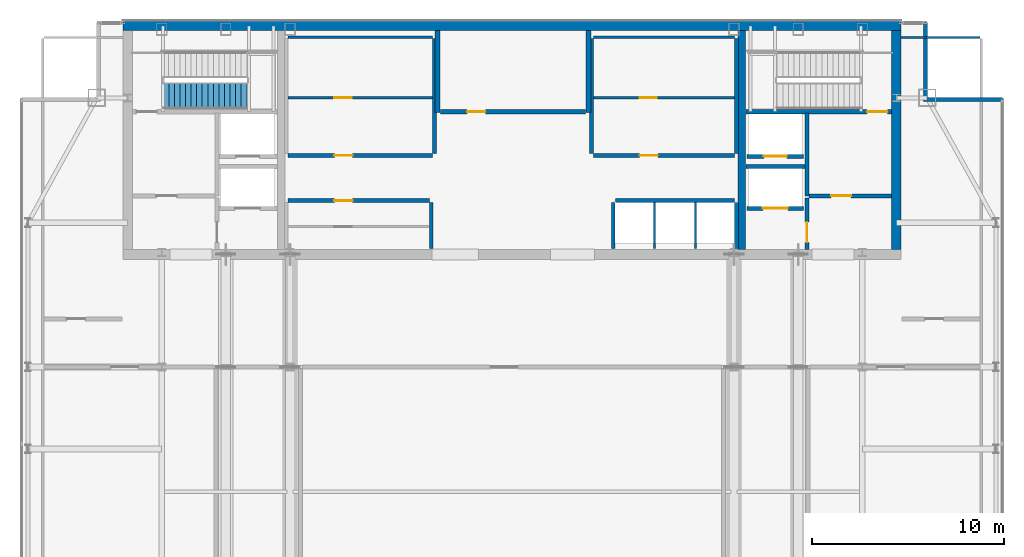
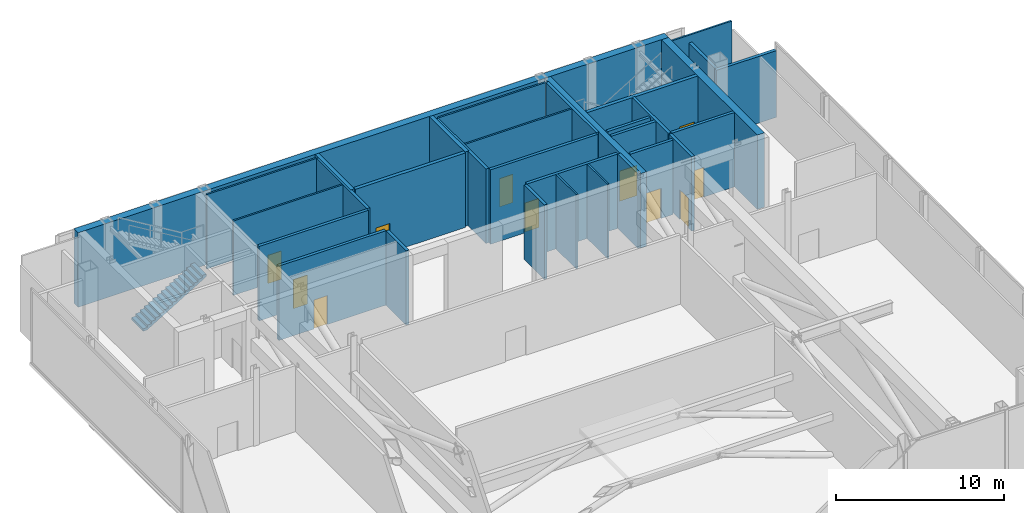
# One storey, part 24 of 26: 32 walls, 11 doors, 1 stair flight, 11 openings, 1 element without a shape of its own.
"""IFC4 building model written with IfcOpenShell, lengths in metres."""

from ifc_helpers import new_model, si_unit, direction, frame, frame_2d, origin, place, context, subcontext, project, spatial, polyline, rectangle, outline, extrude, material, layer, layer_set, type_object, element, fill, aggregate, save


model = new_model("IFC4")

# Units and contexts
model_context = context("Model", 3, precision=1e-05, world=origin(), true_north=direction((0.0, 1.0)))
body_context = subcontext(model_context, "Body", "Model", "MODEL_VIEW")
ifc_project = project(units=[si_unit("LENGTHUNIT", "METRE"), si_unit("AREAUNIT", "SQUARE_METRE"), si_unit("VOLUMEUNIT", "CUBIC_METRE"), si_unit("PLANEANGLEUNIT", "RADIAN"), si_unit("MASSUNIT", "GRAM", prefix="KILO")], contexts=[model_context])

# Site, building, storey
site_placement = place(None, origin())
site = spatial("IfcSite", under=ifc_project, at=site_placement, CompositionType="ELEMENT")
building_placement = place(site_placement, origin())
building = spatial("IfcBuilding", under=site, at=building_placement, Name="Khoronbel Lancet Exchange", CompositionType="ELEMENT")
storey_placement = place(building_placement, frame((0.0, 0.0, 350.60009765625)))
storey = spatial("IfcBuildingStorey", under=building, at=storey_placement, Name="L91", CompositionType="ELEMENT", Elevation=350.60009765625)

# Walls
ifc_material_1 = material(Name="Concrete C60/75", Category="concrete")
ifc_layer_1 = layer(ifc_material_1, 0.5, Name="Concrete C60/75")
ifc_layer_set_1 = layer_set([ifc_layer_1], Name="Concrete C60/75")
wall_type_1 = type_object("IfcWallType", Name="WL-CW4", PredefinedType="SHEAR", material=ifc_layer_set_1)
wall_1_placement = place(storey_placement, frame((16.199951171875, 53.449951171875, 0.0), z_axis=(0.0, 0.0, 1.0), x_axis=(1.0, 0.0, 0.0)))
element("IfcWall", 1, at=wall_1_placement, inside=storey, type_object=wall_type_1, Name="Level L91 rear core north shear wall", PredefinedType="SHEAR", context=body_context, shape_type="SweptSolid", body=[
    extrude(rectangle(XDim=40.5, YDim=0.5, at=frame_2d((20.25, 0.0))), origin(), (0.0, 0.0, 1.0), 5.39990234375),
])
wall_2_placement = place(storey_placement, frame((56.449951171875, 53.199951171875, 0.0), z_axis=(0.0, 0.0, 1.0), x_axis=(0.0, -1.0, 0.0)))
element("IfcWall", 2, at=wall_2_placement, inside=storey, type_object=wall_type_1, Name="Level L91 rear core east shear wall", PredefinedType="SHEAR", context=body_context, shape_type="SweptSolid", body=[
    extrude(rectangle(XDim=11.39990234375, YDim=0.5, at=frame_2d((5.699951171875, 0.0))), origin(), (0.0, 0.0, 1.0), 5.39990234375),
])
ifc_material_2 = material(Name="Precast concrete C40/50", Category="concrete")
ifc_layer_2 = layer(ifc_material_2, 0.25, Name="Precast concrete C40/50")
ifc_layer_set_2 = layer_set([ifc_layer_2], Name="Precast concrete C40/50")
wall_type_2 = type_object("IfcWallType", Name="WL-EXT250", PredefinedType="SOLIDWALL", material=ifc_layer_set_2)
wall_3_placement = place(storey_placement, frame((57.9599609375, 53.6298828125, 0.0), z_axis=(0.0, 0.0, 1.0), x_axis=(0.0, -1.0, 0.0)))
element("IfcWall", 3, at=wall_3_placement, inside=storey, type_object=wall_type_2, Name="Level L91 notched-corner limestone pier 07", PredefinedType="SOLIDWALL", context=body_context, shape_type="SweptSolid", body=[
    extrude(rectangle(XDim=3.909912109375, YDim=0.219970703125, at=frame_2d((1.955078125, 0.0))), origin(), (0.0, 0.0, 1.0), 4.83984375),
])
wall_4_placement = place(storey_placement, frame((57.85009765625, 49.610107421875, 0.0), z_axis=(0.0, 0.0, 1.0), x_axis=(1.0, 0.0, 0.0)))
element("IfcWall", 4, at=wall_4_placement, inside=storey, type_object=wall_type_2, Name="Level L91 notched-corner limestone pier 08", PredefinedType="SOLIDWALL", context=body_context, shape_type="SweptSolid", body=[
    extrude(rectangle(XDim=4.1298828125, YDim=0.219970703125, at=frame_2d((2.06494140625, 0.0))), origin(), (0.0, 0.0, 1.0), 4.83984375),
])
ifc_material_3 = material(Name="Acoustic Metal-Stud & Mineral-Wool Gypsum Partition 120 mm", Category="gypsum")
ifc_layer_3 = layer(ifc_material_3, 0.1201171875, Name="Acoustic Metal-Stud & Mineral-Wool Gypsum Partition 120 mm")
ifc_layer_set_3 = layer_set([ifc_layer_3], Name="Acoustic Metal-Stud & Mineral-Wool Gypsum Partition 120 mm")
wall_type_3 = type_object("IfcWallType", Name="WL-PRT120", PredefinedType="PARTITIONING", material=ifc_layer_set_3)
wall_5_placement = place(storey_placement, frame((56.699951171875, 52.840087890625, 0.0), z_axis=(0.0, 0.0, 1.0), x_axis=(1.0, 0.0, 0.0)))
element("IfcWall", 5, at=wall_5_placement, inside=storey, type_object=wall_type_3, Name="Level L91 interior partition PW-LIN-NE", PredefinedType="PARTITIONING", context=body_context, shape_type="SweptSolid", body=[
    extrude(rectangle(XDim=4.10498046875, YDim=0.1201171875, at=frame_2d((2.052490234375, 0.0))), origin(), (0.0, 0.0, 1.0), 5.39990234375),
])
ifc_material_4 = material(Name="Fire-Rated Metal-Stud & Mineral-Wool Gypsum Partition 120 mm", Category="gypsum")
ifc_layer_4 = layer(ifc_material_4, 0.1201171875, Name="Fire-Rated Metal-Stud & Mineral-Wool Gypsum Partition 120 mm")
ifc_layer_set_4 = layer_set([ifc_layer_4], Name="Fire-Rated Metal-Stud & Mineral-Wool Gypsum Partition 120 mm")
wall_type_4 = type_object("IfcWallType", Name="WL-PRT120F", PredefinedType="PARTITIONING", material=ifc_layer_set_4)
wall_6_placement = place(storey_placement, frame((24.804931640625, 52.860107421875, 0.0), z_axis=(0.0, 0.0, 1.0), x_axis=(1.0, 0.0, 0.0)))
element("IfcWall", 6, at=wall_6_placement, inside=storey, type_object=wall_type_4, Name="Level L91 interior partition CW-PL-RN", PredefinedType="PARTITIONING", context=body_context, shape_type="SweptSolid", body=[
    extrude(rectangle(XDim=7.510009765625, YDim=0.1201171875, at=frame_2d((3.7548828125, 0.0))), origin(), (0.0, 0.0, 1.0), 5.39990234375),
])

# Wall, opening, door
wall_7_placement = place(storey_placement, frame((24.804931640625, 49.708740234375, 0.0), z_axis=(0.0, 0.0, 1.0), x_axis=(1.0, 0.0, 0.0)))
wall_7 = element("IfcWall", 7, at=wall_7_placement, inside=storey, type_object=wall_type_4, Name="Level L91 interior partition CW-PL-RH", PredefinedType="PARTITIONING", context=body_context, shape_type="SweptSolid", body=[
    extrude(rectangle(XDim=7.510009765625, YDim=0.1201171875, at=frame_2d((3.7548828125, 0.0))), origin(), (0.0, 0.0, 1.0), 5.39990234375),
])
opening_1_placement = place(wall_7_placement, frame((2.39990234375, 0.0, 0.0)))
opening_1 = element("IfcOpeningElement", 8, at=opening_1_placement, cuts=wall_7, Name="Opening FD4", PredefinedType="OPENING", context=body_context, shape_type="SweptSolid", body=[
    extrude(rectangle(XDim=0.89990234375, YDim=2.050048828125, at=frame_2d((0.449951171875, 1.02490234375))), frame((0.0, 0.070068359375, 0.0), z_axis=(0.0, -1.0, 0.0), x_axis=(1.0, 0.0, 0.0)), (0.0, 0.0, 1.0), 0.14013671875),
])
ifc_material_5 = material(Name="Fire-Rated Steel Core Support Door Assembly", Category="steel")
door_type_1 = type_object("IfcDoorType", Name="DR-FD4", OperationType="NOTDEFINED", PredefinedType="DOOR", material=ifc_material_5)
door_1_placement = place(opening_1_placement, origin())
door_1 = element("IfcDoor", 9, at=door_1_placement, inside=storey, type_object=door_type_1, Name="Core PL inner store door L91-1", OperationType="SINGLE_SWING_LEFT", OverallHeight=2.050048828125, OverallWidth=0.89990234375, PredefinedType="DOOR", context=body_context, shape_type="SweptSolid", body=[
    extrude(rectangle(XDim=0.89990234375, YDim=2.050048828125, at=frame_2d((0.449951171875, 1.02490234375))), frame((0.0, 0.02490234375, 0.0), z_axis=(0.0, -1.0, 0.0), x_axis=(1.0, 0.0, 0.0)), (0.0, 0.0, 1.0), 0.050048828125),
])
fill(opening_1, door_1)

# Wall
wall_8_placement = place(storey_placement, frame((40.68505859375, 52.860107421875, 0.0), z_axis=(0.0, 0.0, 1.0), x_axis=(1.0, 0.0, 0.0)))
element("IfcWall", 10, at=wall_8_placement, inside=storey, type_object=wall_type_4, Name="Level L91 interior partition CW-PH-RN", PredefinedType="PARTITIONING", context=body_context, shape_type="SweptSolid", body=[
    extrude(rectangle(XDim=7.349853515625, YDim=0.1201171875, at=frame_2d((3.6748046875, 0.0))), origin(), (0.0, 0.0, 1.0), 5.39990234375),
])

# Wall, opening, door
wall_9_placement = place(storey_placement, frame((40.68505859375, 49.708740234375, 0.0), z_axis=(0.0, 0.0, 1.0), x_axis=(1.0, 0.0, 0.0)))
wall_9 = element("IfcWall", 11, at=wall_9_placement, inside=storey, type_object=wall_type_4, Name="Level L91 interior partition CW-PH-RH", PredefinedType="PARTITIONING", context=body_context, shape_type="SweptSolid", body=[
    extrude(rectangle(XDim=7.349853515625, YDim=0.1201171875, at=frame_2d((3.6748046875, 0.0))), origin(), (0.0, 0.0, 1.0), 5.39990234375),
])
opening_2_placement = place(wall_9_placement, frame((2.39990234375, 0.0, 0.0)))
opening_2 = element("IfcOpeningElement", 12, at=opening_2_placement, cuts=wall_9, Name="Opening FD4", PredefinedType="OPENING", context=body_context, shape_type="SweptSolid", body=[
    extrude(rectangle(XDim=0.89990234375, YDim=2.050048828125, at=frame_2d((0.449951171875, 1.02490234375))), frame((0.0, 0.070068359375, 0.0), z_axis=(0.0, -1.0, 0.0), x_axis=(1.0, 0.0, 0.0)), (0.0, 0.0, 1.0), 0.14013671875),
])
door_2_placement = place(opening_2_placement, origin())
door_2 = element("IfcDoor", 13, at=door_2_placement, inside=storey, type_object=door_type_1, Name="Core PH inner store door L91-1", OperationType="SINGLE_SWING_LEFT", OverallHeight=2.050048828125, OverallWidth=0.89990234375, PredefinedType="DOOR", context=body_context, shape_type="SweptSolid", body=[
    extrude(rectangle(XDim=0.89990234375, YDim=2.050048828125, at=frame_2d((0.449951171875, 1.02490234375))), frame((0.0, 0.02490234375, 0.0), z_axis=(0.0, -1.0, 0.0), x_axis=(1.0, 0.0, 0.0)), (0.0, 0.0, 1.0), 0.050048828125),
])
fill(opening_2, door_2)

# Walls
for number, where, z_axis, x_axis, name in (
    (14, (43.860107421875, 41.85009765625, 0.0), (0.0, 0.0, 1.0), (0.0, 1.0, 0.0), "Level L91 interior partition CW-PX-D1"),
    (15, (46.0, 41.85009765625, 0.0), (0.0, 0.0, 1.0), (0.0, 1.0, 0.0), "Level L91 interior partition CW-PX-D2"),
):
    element("IfcWall", number, at=place(storey_placement, frame(where, z_axis=z_axis, x_axis=x_axis)), inside=storey, type_object=wall_type_4, Name=name, PredefinedType="PARTITIONING", context=body_context, shape_type="SweptSolid", body=[
        extrude(rectangle(XDim=2.39501953125, YDim=0.1201171875, at=frame_2d((1.197509765625, 0.0))), origin(), (0.0, 0.0, 1.0), 5.39990234375),
    ])

# Wall, opening, door
ifc_material_6 = material(Name="Autoclaved Aerated Concrete Blockwork 200 mm", Category="masonry")
ifc_layer_5 = layer(ifc_material_6, 0.199951171875, Name="Autoclaved Aerated Concrete Blockwork 200 mm")
ifc_layer_set_5 = layer_set([ifc_layer_5], Name="Autoclaved Aerated Concrete Blockwork 200 mm")
wall_type_5 = type_object("IfcWallType", Name="WL-PRT200", PredefinedType="PARTITIONING", material=ifc_layer_set_5)
wall_10_placement = place(storey_placement, frame((51.610107421875, 43.949951171875, 0.0), z_axis=(0.0, 0.0, 1.0), x_axis=(-1.0, 0.0, 0.0)))
wall_10 = element("IfcWall", 16, at=wall_10_placement, inside=storey, type_object=wall_type_5, Name="Level L91 elevator hoistway landing front wall SVLE", PredefinedType="PARTITIONING", context=body_context, shape_type="SweptSolid", body=[
    extrude(rectangle(XDim=2.920166015625, YDim=0.199951171875, at=frame_2d((1.4599609375, 0.0))), origin(), (0.0, 0.0, 1.0), 5.39990234375),
])
opening_3_placement = place(wall_10_placement, frame((0.81005859375, 0.0, 0.0)))
opening_3 = element("IfcOpeningElement", 17, at=opening_3_placement, cuts=wall_10, Name="Opening LD-SVL2", PredefinedType="OPENING", context=body_context, shape_type="SweptSolid", body=[
    extrude(rectangle(XDim=1.300048828125, YDim=2.179931640625, at=frame_2d((0.64990234375, 1.08984375))), frame((0.0, 0.10986328125, 0.0), z_axis=(0.0, -1.0, 0.0), x_axis=(1.0, 0.0, 0.0)), (0.0, 0.0, 1.0), 0.219970703125),
])
ifc_material_7 = material(Name="Heavy-Duty Bi-Parting Goods Lift Landing Door", Category="steel")
door_type_2 = type_object("IfcDoorType", Name="DR-LD-SVL", OperationType="NOTDEFINED", PredefinedType="DOOR", material=ifc_material_7)
door_3_placement = place(opening_3_placement, origin())
door_3 = element("IfcDoor", 18, at=door_3_placement, inside=storey, type_object=door_type_2, Name="Elevator landing sliding door LD-SVL2 L91", OperationType="SLIDING_TO_LEFT", OverallHeight=2.179931640625, OverallWidth=1.300048828125, PredefinedType="DOOR", context=body_context, shape_type="SweptSolid", body=[
    extrude(rectangle(XDim=1.300048828125, YDim=2.179931640625, at=frame_2d((0.64990234375, 1.08984375))), frame((0.0, 0.02490234375, 0.0), z_axis=(0.0, -1.0, 0.0), x_axis=(1.0, 0.0, 0.0)), (0.0, 0.0, 1.0), 0.050048828125),
])
fill(opening_3, door_3)

wall_11_placement = place(storey_placement, frame((51.610107421875, 46.64990234375, 0.0), z_axis=(0.0, 0.0, 1.0), x_axis=(-1.0, 0.0, 0.0)))
wall_11 = element("IfcWall", 19, at=wall_11_placement, inside=storey, type_object=wall_type_5, Name="Level L91 elevator hoistway landing front wall FFLE", PredefinedType="PARTITIONING", context=body_context, shape_type="SweptSolid", body=[
    extrude(rectangle(XDim=2.920166015625, YDim=0.199951171875, at=frame_2d((1.4599609375, 0.0))), origin(), (0.0, 0.0, 1.0), 5.39990234375),
])
opening_4_placement = place(wall_11_placement, frame((0.860107421875, 0.0, 0.0)))
opening_4 = element("IfcOpeningElement", 20, at=opening_4_placement, cuts=wall_11, Name="Opening LD-FFL2", PredefinedType="OPENING", context=body_context, shape_type="SweptSolid", body=[
    extrude(rectangle(XDim=1.199951171875, YDim=2.179931640625, at=frame_2d((0.60009765625, 1.08984375))), frame((0.0, 0.10986328125, 0.0), z_axis=(0.0, -1.0, 0.0), x_axis=(1.0, 0.0, 0.0)), (0.0, 0.0, 1.0), 0.219970703125),
])
ifc_material_8 = material(Name="Fire-Rated Stainless Bi-Parting Firefighting Lift Door", Category="steel")
door_type_3 = type_object("IfcDoorType", Name="DR-LD-FFL", OperationType="NOTDEFINED", PredefinedType="DOOR", material=ifc_material_8)
door_4_placement = place(opening_4_placement, origin())
door_4 = element("IfcDoor", 21, at=door_4_placement, inside=storey, type_object=door_type_3, Name="Elevator landing sliding door LD-FFL2 L91", OperationType="SLIDING_TO_LEFT", OverallHeight=2.179931640625, OverallWidth=1.199951171875, PredefinedType="DOOR", context=body_context, shape_type="SweptSolid", body=[
    extrude(rectangle(XDim=1.199951171875, YDim=2.179931640625, at=frame_2d((0.60009765625, 1.08984375))), frame((0.0, 0.02490234375, 0.0), z_axis=(0.0, -1.0, 0.0), x_axis=(1.0, 0.0, 0.0)), (0.0, 0.0, 1.0), 0.050048828125),
])
fill(opening_4, door_4)

# Wall
wall_12_placement = place(storey_placement, frame((51.800048828125, 44.60009765625, 0.0), z_axis=(0.0, 0.0, 1.0), x_axis=(0.0, 1.0, 0.0)))
element("IfcWall", 22, at=wall_12_placement, inside=storey, type_object=wall_type_5, Name="Level L91 interior partition CW-FFLE-W", PredefinedType="PARTITIONING", context=body_context, shape_type="SweptSolid", body=[
    extrude(rectangle(XDim=4.2998046875, YDim=0.199951171875, at=frame_2d((2.14990234375, 0.0))), origin(), (0.0, 0.0, 1.0), 5.39990234375),
])

# Wall, opening, door
wall_13_placement = place(storey_placement, frame((51.89990234375, 44.60009765625, 0.0), z_axis=(0.0, 0.0, 1.0), x_axis=(1.0, 0.0, 0.0)))
wall_13 = element("IfcWall", 23, at=wall_13_placement, inside=storey, type_object=wall_type_5, Name="Level L91 interior partition CW-FFLE-S", PredefinedType="PARTITIONING", context=body_context, shape_type="SweptSolid", body=[
    extrude(rectangle(XDim=4.300048828125, YDim=0.199951171875, at=frame_2d((2.14990234375, 0.0))), origin(), (0.0, 0.0, 1.0), 5.39990234375),
])
opening_5_placement = place(wall_13_placement, frame((1.14990234375, 0.0, 0.0)))
opening_5 = element("IfcOpeningElement", 24, at=opening_5_placement, cuts=wall_13, Name="Opening FD1", PredefinedType="OPENING", context=body_context, shape_type="SweptSolid", body=[
    extrude(rectangle(XDim=1.050048828125, YDim=2.14990234375, at=frame_2d((0.52490234375, 1.074951171875))), frame((0.0, 0.10986328125, 0.0), z_axis=(0.0, -1.0, 0.0), x_axis=(1.0, 0.0, 0.0)), (0.0, 0.0, 1.0), 0.219970703125),
])
ifc_material_9 = material(Name="Fire-Rated Painted Steel Door Assembly", Category="steel")
door_type_4 = type_object("IfcDoorType", Name="DR-FD1", OperationType="NOTDEFINED", PredefinedType="DOOR", material=ifc_material_9)
door_5_placement = place(opening_5_placement, origin())
door_5 = element("IfcDoor", 25, at=door_5_placement, inside=storey, type_object=door_type_4, Name="East firefighting lobby FD90S door L91-1", OperationType="SINGLE_SWING_LEFT", OverallHeight=2.14990234375, OverallWidth=1.050048828125, PredefinedType="DOOR", context=body_context, shape_type="SweptSolid", body=[
    extrude(rectangle(XDim=1.050048828125, YDim=2.14990234375, at=frame_2d((0.52490234375, 1.074951171875))), frame((0.0, 0.02490234375, 0.0), z_axis=(0.0, -1.0, 0.0), x_axis=(1.0, 0.0, 0.0)), (0.0, 0.0, 1.0), 0.050048828125),
])
fill(opening_5, door_5)

# Wall
wall_14_placement = place(storey_placement, frame((48.6298828125, 46.1201171875, 0.0), z_axis=(0.0, 0.0, 1.0), x_axis=(1.0, 0.0, 0.0)))
element("IfcWall", 26, at=wall_14_placement, inside=storey, type_object=wall_type_5, Name="Level L91 interior partition CW-FFL2-S", PredefinedType="PARTITIONING", context=body_context, shape_type="SweptSolid", body=[
    extrude(rectangle(XDim=3.070068359375, YDim=0.199951171875, at=frame_2d((1.53515625, 0.0))), origin(), (0.0, 0.0, 1.0), 5.39990234375),
])

# Wall, opening, door
wall_15_placement = place(storey_placement, frame((51.800048828125, 41.800048828125, 0.0), z_axis=(0.0, 0.0, 1.0), x_axis=(0.0, 1.0, 0.0)))
wall_15 = element("IfcWall", 27, at=wall_15_placement, inside=storey, type_object=wall_type_5, Name="Level L91 interior partition CW-SVLE-E", PredefinedType="PARTITIONING", context=body_context, shape_type="SweptSolid", body=[
    extrude(rectangle(XDim=2.695068359375, YDim=0.199951171875, at=frame_2d((1.34765625, 0.0))), origin(), (0.0, 0.0, 1.0), 5.39990234375),
])
opening_6_placement = place(wall_15_placement, frame((0.3798828125, 0.0, 0.0)))
opening_6 = element("IfcOpeningElement", 28, at=opening_6_placement, cuts=wall_15, Name="Opening FD1", PredefinedType="OPENING", context=body_context, shape_type="SweptSolid", body=[
    extrude(rectangle(XDim=1.050048828125, YDim=2.14990234375, at=frame_2d((0.52490234375, 1.074951171875))), frame((0.0, 0.10986328125, 0.0), z_axis=(0.0, -1.0, 0.0), x_axis=(1.0, 0.0, 0.0)), (0.0, 0.0, 1.0), 0.219970703125),
])
door_6_placement = place(opening_6_placement, origin())
door_6 = element("IfcDoor", 29, at=door_6_placement, inside=storey, type_object=door_type_4, Name="East service lift lobby door L91-1", OperationType="SINGLE_SWING_RIGHT", OverallHeight=2.14990234375, OverallWidth=1.050048828125, PredefinedType="DOOR", context=body_context, shape_type="SweptSolid", body=[
    extrude(rectangle(XDim=1.050048828125, YDim=2.14990234375, at=frame_2d((0.52490234375, 1.074951171875))), frame((0.0, 0.02490234375, 0.0), z_axis=(0.0, -1.0, 0.0), x_axis=(1.0, 0.0, 0.0)), (0.0, 0.0, 1.0), 0.050048828125),
])
fill(opening_6, door_6)

# Wall
wall_16_placement = place(storey_placement, frame((32.419921875, 46.804931640625, 0.0), z_axis=(0.0, 0.0, 1.0), x_axis=(0.0, 1.0, 0.0)))
element("IfcWall", 30, at=wall_16_placement, inside=storey, type_object=wall_type_5, Name="Level L91 interior partition CW-PL-RE", PredefinedType="PARTITIONING", context=body_context, shape_type="SweptSolid", body=[
    extrude(rectangle(XDim=5.989990234375, YDim=0.199951171875, at=frame_2d((2.9951171875, 0.0))), origin(), (0.0, 0.0, 1.0), 5.39990234375),
])

# Wall, opening, door
wall_17_placement = place(storey_placement, frame((24.804931640625, 46.699951171875, 0.0), z_axis=(0.0, 0.0, 1.0), x_axis=(1.0, 0.0, 0.0)))
wall_17 = element("IfcWall", 31, at=wall_17_placement, inside=storey, type_object=wall_type_5, Name="Level L91 interior partition CW-PL-RF", PredefinedType="PARTITIONING", context=body_context, shape_type="SweptSolid", body=[
    extrude(rectangle(XDim=7.510009765625, YDim=0.199951171875, at=frame_2d((3.7548828125, 0.0))), origin(), (0.0, 0.0, 1.0), 5.39990234375),
])
opening_7_placement = place(wall_17_placement, frame((2.39990234375, 0.0, 0.0)))
opening_7 = element("IfcOpeningElement", 32, at=opening_7_placement, cuts=wall_17, Name="Opening FD3", PredefinedType="OPENING", context=body_context, shape_type="SweptSolid", body=[
    extrude(rectangle(XDim=0.949951171875, YDim=2.10009765625, at=frame_2d((0.47509765625, 1.050048828125))), frame((0.0, 0.10986328125, 0.0), z_axis=(0.0, -1.0, 0.0), x_axis=(1.0, 0.0, 0.0)), (0.0, 0.0, 1.0), 0.219970703125),
])
ifc_material_10 = material(Name="Fire-Rated Steel Plant & Riser Door Assembly", Category="steel")
door_type_5 = type_object("IfcDoorType", Name="DR-FD3", OperationType="NOTDEFINED", PredefinedType="DOOR", material=ifc_material_10)
door_7_placement = place(opening_7_placement, origin())
door_7 = element("IfcDoor", 33, at=door_7_placement, inside=storey, type_object=door_type_5, Name="Core PL merged gallery room door L91-1", OperationType="SINGLE_SWING_RIGHT", OverallHeight=2.10009765625, OverallWidth=0.949951171875, PredefinedType="DOOR", context=body_context, shape_type="SweptSolid", body=[
    extrude(rectangle(XDim=0.949951171875, YDim=2.10009765625, at=frame_2d((0.47509765625, 1.050048828125))), frame((0.0, 0.02490234375, 0.0), z_axis=(0.0, -1.0, 0.0), x_axis=(1.0, 0.0, 0.0)), (0.0, 0.0, 1.0), 0.050048828125),
])
fill(opening_7, door_7)

# Wall
wall_18_placement = place(storey_placement, frame((32.25, 41.85009765625, 0.0), z_axis=(0.0, 0.0, 1.0), x_axis=(0.0, 1.0, 0.0)))
element("IfcWall", 34, at=wall_18_placement, inside=storey, type_object=wall_type_5, Name="Level L91 interior partition CW-PM-RE", PredefinedType="PARTITIONING", context=body_context, shape_type="SweptSolid", body=[
    extrude(rectangle(XDim=2.39501953125, YDim=0.199951171875, at=frame_2d((1.197509765625, 0.0))), origin(), (0.0, 0.0, 1.0), 5.39990234375),
])

# Wall, opening, door
wall_19_placement = place(storey_placement, frame((24.804931640625, 44.35009765625, 0.0), z_axis=(0.0, 0.0, 1.0), x_axis=(1.0, 0.0, 0.0)))
wall_19 = element("IfcWall", 35, at=wall_19_placement, inside=storey, type_object=wall_type_5, Name="Level L91 interior partition CW-PM-RF", PredefinedType="PARTITIONING", context=body_context, shape_type="SweptSolid", body=[
    extrude(rectangle(XDim=7.340087890625, YDim=0.199951171875, at=frame_2d((3.669921875, 0.0))), origin(), (0.0, 0.0, 1.0), 5.39990234375),
])
opening_8_placement = place(wall_19_placement, frame((2.39990234375, 0.0, 0.0)))
opening_8 = element("IfcOpeningElement", 36, at=opening_8_placement, cuts=wall_19, Name="Opening FD3", PredefinedType="OPENING", context=body_context, shape_type="SweptSolid", body=[
    extrude(rectangle(XDim=0.949951171875, YDim=2.10009765625, at=frame_2d((0.47509765625, 1.050048828125))), frame((0.0, 0.10986328125, 0.0), z_axis=(0.0, -1.0, 0.0), x_axis=(1.0, 0.0, 0.0)), (0.0, 0.0, 1.0), 0.219970703125),
])
door_8_placement = place(opening_8_placement, origin())
door_8 = element("IfcDoor", 37, at=door_8_placement, inside=storey, type_object=door_type_5, Name="Core PM merged gallery room door L91-1", OperationType="SINGLE_SWING_RIGHT", OverallHeight=2.10009765625, OverallWidth=0.949951171875, PredefinedType="DOOR", context=body_context, shape_type="SweptSolid", body=[
    extrude(rectangle(XDim=0.949951171875, YDim=2.10009765625, at=frame_2d((0.47509765625, 1.050048828125))), frame((0.0, 0.02490234375, 0.0), z_axis=(0.0, -1.0, 0.0), x_axis=(1.0, 0.0, 0.0)), (0.0, 0.0, 1.0), 0.050048828125),
])
fill(opening_8, door_8)

# Walls
for number, where, z_axis, x_axis, name in (
    (38, (40.580078125, 46.804931640625, 0.0), (0.0, 0.0, 1.0), (0.0, 1.0, 0.0), "Level L91 interior partition CW-PH-RW"),
    (39, (48.139892578125, 46.804931640625, 0.0), (0.0, 0.0, 1.0), (0.0, 1.0, 0.0), "Level L91 interior partition CW-PH-RE"),
):
    element("IfcWall", number, at=place(storey_placement, frame(where, z_axis=z_axis, x_axis=x_axis)), inside=storey, type_object=wall_type_5, Name=name, PredefinedType="PARTITIONING", context=body_context, shape_type="SweptSolid", body=[
        extrude(rectangle(XDim=5.989990234375, YDim=0.199951171875, at=frame_2d((2.9951171875, 0.0))), origin(), (0.0, 0.0, 1.0), 5.39990234375),
    ])

# Wall, opening, door
wall_20_placement = place(storey_placement, frame((40.68505859375, 46.699951171875, 0.0), z_axis=(0.0, 0.0, 1.0), x_axis=(1.0, 0.0, 0.0)))
wall_20 = element("IfcWall", 40, at=wall_20_placement, inside=storey, type_object=wall_type_5, Name="Level L91 interior partition CW-PH-RF", PredefinedType="PARTITIONING", context=body_context, shape_type="SweptSolid", body=[
    extrude(rectangle(XDim=7.349853515625, YDim=0.199951171875, at=frame_2d((3.6748046875, 0.0))), origin(), (0.0, 0.0, 1.0), 5.39990234375),
])
opening_9_placement = place(wall_20_placement, frame((2.39990234375, 0.0, 0.0)))
opening_9 = element("IfcOpeningElement", 41, at=opening_9_placement, cuts=wall_20, Name="Opening FD3", PredefinedType="OPENING", context=body_context, shape_type="SweptSolid", body=[
    extrude(rectangle(XDim=0.949951171875, YDim=2.10009765625, at=frame_2d((0.47509765625, 1.050048828125))), frame((0.0, 0.10986328125, 0.0), z_axis=(0.0, -1.0, 0.0), x_axis=(1.0, 0.0, 0.0)), (0.0, 0.0, 1.0), 0.219970703125),
])
door_9_placement = place(opening_9_placement, origin())
door_9 = element("IfcDoor", 42, at=door_9_placement, inside=storey, type_object=door_type_5, Name="Core PH merged gallery room door L91-1", OperationType="SINGLE_SWING_RIGHT", OverallHeight=2.10009765625, OverallWidth=0.949951171875, PredefinedType="DOOR", context=body_context, shape_type="SweptSolid", body=[
    extrude(rectangle(XDim=0.949951171875, YDim=2.10009765625, at=frame_2d((0.47509765625, 1.050048828125))), frame((0.0, 0.02490234375, 0.0), z_axis=(0.0, -1.0, 0.0), x_axis=(1.0, 0.0, 0.0)), (0.0, 0.0, 1.0), 0.050048828125),
])
fill(opening_9, door_9)

# Walls
wall_21_placement = place(storey_placement, frame((41.824951171875, 44.35009765625, 0.0), z_axis=(0.0, 0.0, 1.0), x_axis=(1.0, 0.0, 0.0)))
element("IfcWall", 43, at=wall_21_placement, inside=storey, type_object=wall_type_5, Name="Level L91 interior partition CW-PX-EXP", PredefinedType="PARTITIONING", context=body_context, shape_type="SweptSolid", body=[
    extrude(rectangle(XDim=6.2099609375, YDim=0.199951171875, at=frame_2d((3.10498046875, 0.0))), origin(), (0.0, 0.0, 1.0), 5.39990234375),
])
for number, where, z_axis, x_axis, name in (
    (44, (41.719970703125, 41.85009765625, 0.0), (0.0, 0.0, 1.0), (0.0, 1.0, 0.0), "Level L91 interior partition CW-PX-W"),
    (45, (48.139892578125, 41.85009765625, 0.0), (0.0, 0.0, 1.0), (0.0, 1.0, 0.0), "Level L91 interior partition CW-PX-E"),
):
    element("IfcWall", number, at=place(storey_placement, frame(where, z_axis=z_axis, x_axis=x_axis)), inside=storey, type_object=wall_type_5, Name=name, PredefinedType="PARTITIONING", context=body_context, shape_type="SweptSolid", body=[
        extrude(rectangle(XDim=2.39501953125, YDim=0.199951171875, at=frame_2d((1.197509765625, 0.0))), origin(), (0.0, 0.0, 1.0), 5.39990234375),
    ])
ifc_layer_6 = layer(ifc_material_1, 0.39990234375, Name="Concrete C60/75")
ifc_layer_set_6 = layer_set([ifc_layer_6], Name="Concrete C60/75")
wall_type_6 = type_object("IfcWallType", Name="WL-SW2", PredefinedType="SHEAR", material=ifc_layer_set_6)
wall_22_placement = place(storey_placement, frame((48.39990234375, 41.800048828125, 0.0), z_axis=(0.0, 0.0, 1.0), x_axis=(0.0, 1.0, 0.0)))
element("IfcWall", 46, at=wall_22_placement, inside=storey, type_object=wall_type_6, Name="Level L91 rear core internal spine shear wall IE", PredefinedType="SHEAR", context=body_context, shape_type="SweptSolid", body=[
    extrude(rectangle(XDim=11.39990234375, YDim=0.39990234375, at=frame_2d((5.699951171875, 0.0))), origin(), (0.0, 0.0, 1.0), 5.39990234375),
])
ifc_layer_7 = layer(ifc_material_1, 0.260009765625, Name="Concrete C60/75")
ifc_layer_set_7 = layer_set([ifc_layer_7], Name="Concrete C60/75")
wall_type_7 = type_object("IfcWallType", Name="WL-SW3", PredefinedType="SHEAR", material=ifc_layer_set_7)
for number, where, z_axis, x_axis, name in (
    (47, (32.580078125, 48.949951171875, 0.0), (0.0, 0.0, 1.0), (0.0, 1.0, 0.0), "Level L91 central stairwell structural shear wall ST3W"),
    (48, (40.419921875, 48.949951171875, 0.0), (0.0, 0.0, 1.0), (0.0, 1.0, 0.0), "Level L91 central stairwell structural shear wall ST3E"),
):
    element("IfcWall", number, at=place(storey_placement, frame(where, z_axis=z_axis, x_axis=x_axis)), inside=storey, type_object=wall_type_7, Name=name, PredefinedType="SHEAR", context=body_context, shape_type="SweptSolid", body=[
        extrude(rectangle(XDim=4.25, YDim=0.260009765625, at=frame_2d((2.125, 0.0))), origin(), (0.0, 0.0, 1.0), 5.39990234375),
    ])

# Wall, opening, door
wall_23_placement = place(storey_placement, frame((48.6298828125, 48.97998046875, 0.0), z_axis=(0.0, 0.0, 1.0), x_axis=(1.0, 0.0, 0.0)))
wall_23 = element("IfcWall", 49, at=wall_23_placement, inside=storey, type_object=wall_type_7, Name="Level L91 east stairwell structural south wall", PredefinedType="SHEAR", context=body_context, shape_type="SweptSolid", body=[
    extrude(rectangle(XDim=7.570068359375, YDim=0.239990234375, at=frame_2d((3.78515625, 0.0))), origin(), (0.0, 0.0, 1.0), 5.39990234375),
])
opening_10_placement = place(wall_23_placement, frame((6.300048828125, 0.0, 0.0)))
opening_10 = element("IfcOpeningElement", 50, at=opening_10_placement, cuts=wall_23, Name="Opening SD1", PredefinedType="OPENING", context=body_context, shape_type="SweptSolid", body=[
    extrude(rectangle(XDim=1.050048828125, YDim=2.14990234375, at=frame_2d((0.52490234375, 1.074951171875))), frame((0.0, 0.1298828125, 0.0), z_axis=(0.0, -1.0, 0.0), x_axis=(1.0, 0.0, 0.0)), (0.0, 0.0, 1.0), 0.260009765625),
])
ifc_material_11 = material(Name="Fire-Rated Steel Stairwell Door Assembly", Category="steel")
door_type_6 = type_object("IfcDoorType", Name="DR-SD1", OperationType="NOTDEFINED", PredefinedType="DOOR", material=ifc_material_11)
door_10_placement = place(opening_10_placement, origin())
door_10 = element("IfcDoor", 51, at=door_10_placement, inside=storey, type_object=door_type_6, Name="Protected exit stair ST2 door L91", OperationType="SINGLE_SWING_RIGHT", OverallHeight=2.14990234375, OverallWidth=1.050048828125, PredefinedType="DOOR", context=body_context, shape_type="SweptSolid", body=[
    extrude(rectangle(XDim=1.050048828125, YDim=2.14990234375, at=frame_2d((0.52490234375, 1.074951171875))), frame((0.0, 0.02490234375, 0.0), z_axis=(0.0, -1.0, 0.0), x_axis=(1.0, 0.0, 0.0)), (0.0, 0.0, 1.0), 0.050048828125),
])
fill(opening_10, door_10)

wall_24_placement = place(storey_placement, frame((32.719970703125, 48.97998046875, 0.0), z_axis=(0.0, 0.0, 1.0), x_axis=(1.0, 0.0, 0.0)))
wall_24 = element("IfcWall", 52, at=wall_24_placement, inside=storey, type_object=wall_type_7, Name="Level L91 central stairwell structural south wall", PredefinedType="SHEAR", context=body_context, shape_type="SweptSolid", body=[
    extrude(rectangle(XDim=7.56005859375, YDim=0.239990234375, at=frame_2d((3.780029296875, 0.0))), origin(), (0.0, 0.0, 1.0), 5.39990234375),
])
opening_11_placement = place(wall_24_placement, frame((1.39990234375, 0.0, 0.0)))
opening_11 = element("IfcOpeningElement", 53, at=opening_11_placement, cuts=wall_24, Name="Opening FD3", PredefinedType="OPENING", context=body_context, shape_type="SweptSolid", body=[
    extrude(rectangle(XDim=0.949951171875, YDim=2.10009765625, at=frame_2d((0.47509765625, 1.050048828125))), frame((0.0, 0.1298828125, 0.0), z_axis=(0.0, -1.0, 0.0), x_axis=(1.0, 0.0, 0.0)), (0.0, 0.0, 1.0), 0.260009765625),
])
door_11_placement = place(opening_11_placement, origin())
door_11 = element("IfcDoor", 54, at=door_11_placement, inside=storey, type_object=door_type_5, Name="Crown smoke extract plant door L91", OperationType="SINGLE_SWING_RIGHT", OverallHeight=2.10009765625, OverallWidth=0.949951171875, PredefinedType="DOOR", context=body_context, shape_type="SweptSolid", body=[
    extrude(rectangle(XDim=0.949951171875, YDim=2.10009765625, at=frame_2d((0.47509765625, 1.050048828125))), frame((0.0, 0.02490234375, 0.0), z_axis=(0.0, -1.0, 0.0), x_axis=(1.0, 0.0, 0.0)), (0.0, 0.0, 1.0), 0.050048828125),
])
fill(opening_11, door_11)

# Stair, stair flight
ifc_material_12 = material(Name="Concrete C40/50", Category="concrete")
stair_type = type_object("IfcStairType", Name="STR-CRN135", PredefinedType="HALF_TURN_STAIR", material=ifc_material_12)
stair_placement = place(storey_placement, origin())
stair = element("IfcStair", 55, at=stair_placement, inside=storey, type_object=stair_type, Name="L91 Protected Exit Stair ST1", PredefinedType="HALF_TURN_STAIR")
stair_flight_type = type_object("IfcStairFlightType", Name="STF-135", PredefinedType="STRAIGHT", material=ifc_material_12)
stair_flight_placement = place(storey_placement, frame((18.300048828125, 49.81005859375, 0.0), z_axis=(0.0, 0.0, 1.0), x_axis=(1.0, 0.0, 0.0)))
stair_flight = element("IfcStairFlight", 56, at=stair_flight_placement, type_object=stair_flight_type, Name="ST1 flight 1", NumberOfRisers=16, NumberOfTreads=15, PredefinedType="STRAIGHT", RiserHeight=0.175, TreadLength=0.29, context=body_context, shape_type="SweptSolid", body=[
    extrude(outline(polyline([(0.0, 0.0), (0.0, 0.175048828125), (0.2900390625, 0.175048828125), (0.2900390625, 0.35009765625), (0.580078125, 0.35009765625), (0.580078125, 0.52490234375), (0.8701171875, 0.52490234375), (0.8701171875, 0.699951171875), (1.159912109375, 0.699951171875), (1.159912109375, 0.875), (1.449951171875, 0.875), (1.449951171875, 1.050048828125), (1.739990234375, 1.050048828125), (1.739990234375, 1.22509765625), (2.030029296875, 1.22509765625), (2.030029296875, 1.39990234375), (2.320068359375, 1.39990234375), (2.320068359375, 1.574951171875), (2.610107421875, 1.574951171875), (2.610107421875, 1.75), (2.89990234375, 1.75), (2.89990234375, 1.925048828125), (3.18994140625, 1.925048828125), (3.18994140625, 2.10009765625), (3.47998046875, 2.10009765625), (3.47998046875, 2.27490234375), (3.77001953125, 2.27490234375), (3.77001953125, 2.449951171875), (4.06005859375, 2.449951171875), (4.06005859375, 2.625), (4.35009765625, 2.625), (4.35009765625, 2.800048828125), (4.35009765625, 2.449951171875), (0.2900390625, 0.0), (0.0, 0.0)])), frame((0.0, 0.68994140625, 0.0), z_axis=(0.0, -1.0, 0.0), x_axis=(1.0, 0.0, 0.0)), (0.0, 0.0, 1.0), 1.3798828125),
])
aggregate(stair, [stair_flight])

save(model, "model.ifc")
